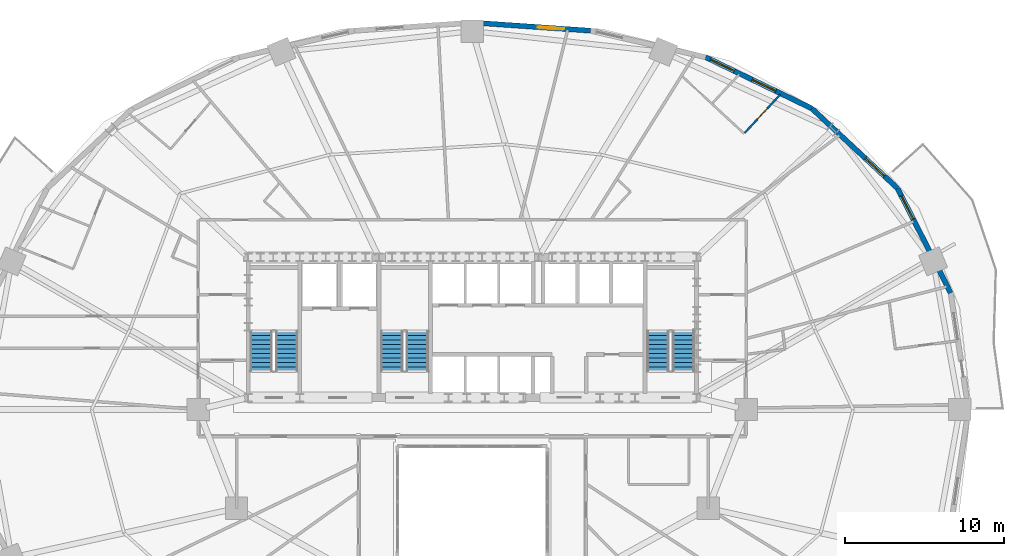
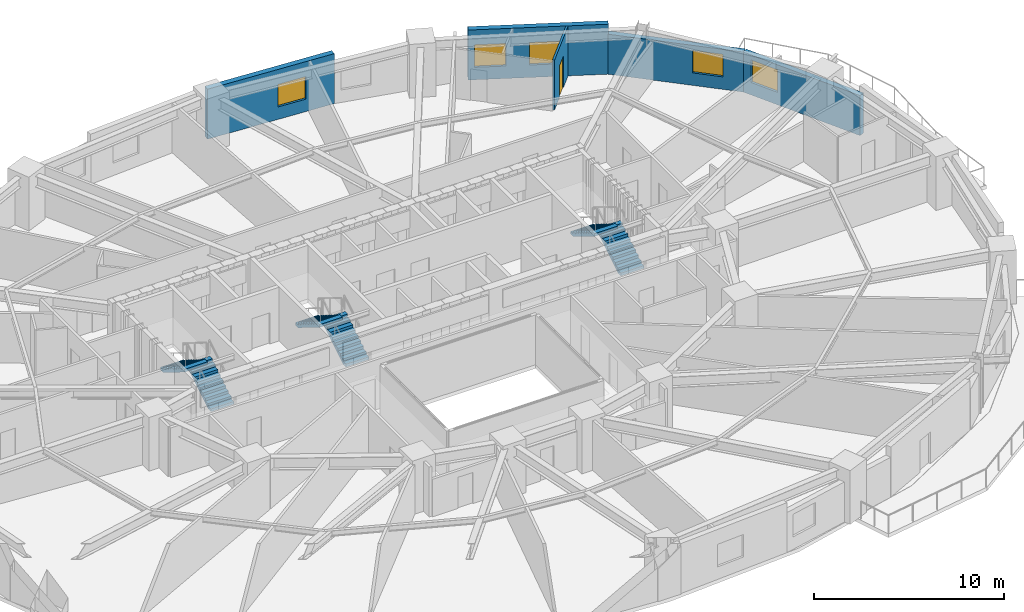
# One storey, part 13 of 17: 6 stair flights, 5 walls, 5 windows, 1 door, 6 openings, 3 elements without a shape of their own.
"""IFC4 building model written with IfcOpenShell, lengths in metres."""

from ifc_helpers import new_model, si_unit, direction, frame, frame_2d, origin, place, context, subcontext, project, spatial, polyline, rectangle, outline, extrude, material, layer, layer_set, type_object, element, fill, aggregate, save


model = new_model("IFC4")

# Units and contexts
model_context = context("Model", 3, precision=1e-05, world=origin(), true_north=direction((0.0, 1.0)))
body_context = subcontext(model_context, "Body", "Model", "MODEL_VIEW")
ifc_project = project(units=[si_unit("LENGTHUNIT", "METRE"), si_unit("AREAUNIT", "SQUARE_METRE"), si_unit("VOLUMEUNIT", "CUBIC_METRE"), si_unit("PLANEANGLEUNIT", "RADIAN"), si_unit("MASSUNIT", "GRAM", prefix="KILO")], contexts=[model_context])

# Site, building, storey
site_placement = place(None, origin())
site = spatial("IfcSite", under=ifc_project, at=site_placement, CompositionType="ELEMENT")
building_placement = place(site_placement, origin())
building = spatial("IfcBuilding", under=site, at=building_placement, Name="Haldorwick Loom Tower", CompositionType="ELEMENT")
storey_placement = place(building_placement, frame((0.0, 0.0, 34.35009765625)))
storey = spatial("IfcBuildingStorey", under=building, at=storey_placement, Name="L08", CompositionType="ELEMENT", Elevation=34.35009765625)

# Wall, opening, window
ifc_material_1 = material(Name="Pressed Clay Face Brick and Insulated Masonry Backup Assembly", Category="masonry")
ifc_layer_1 = layer(ifc_material_1, 0.320068359375, Name="Pressed Clay Face Brick and Insulated Masonry Backup Assembly", Category="masonry")
ifc_layer_set_1 = layer_set([ifc_layer_1], Name="Pressed Clay Face Brick and Insulated Masonry Backup Assembly")
wall_type_1 = type_object("IfcWallType", Name="ARC-WL-EXT320", PredefinedType="STANDARD", material=ifc_layer_set_1)
wall_1_placement = place(storey_placement, frame((66.021728515625, 33.320556640625, 0.0), z_axis=(0.0, 0.0, 1.0), x_axis=(-0.452950855928, 0.891535485617, 0.0)))
wall_1 = element("IfcWall", 1, at=wall_1_placement, inside=storey, type_object=wall_type_1, Name="L08 Brick Pier and Spandrel Wall 2", PredefinedType="STANDARD", context=body_context, shape_type="SweptSolid", body=[
    extrude(rectangle(XDim=7.3583984375, YDim=0.320068359375, at=frame_2d((3.67919921875, 0.0))), origin(), (0.0, 0.0, 1.0), 2.56884765625),
])
opening_1_placement = place(wall_1_placement, frame((5.188720703125, 0.0, 0.800048828125)))
opening_1 = element("IfcOpeningElement", 2, at=opening_1_placement, cuts=wall_1, Name="Opening W-01B", PredefinedType="OPENING", context=body_context, shape_type="SweptSolid", body=[
    extrude(rectangle(XDim=1.64990234375, YDim=1.449951171875, at=frame_2d((0.824951171875, 0.72509765625))), frame((0.0, 0.169921875, 0.0), z_axis=(0.0, -1.0, 0.0), x_axis=(1.0, 0.0, 0.0)), (0.0, 0.0, 1.0), 0.340087890625),
])
ifc_material_2 = material(Name="Triple-Glazed Low-E Argon Insulated Glazing Unit", Category="glass")
window_type = type_object("IfcWindowType", Name="ARC-WIN-W165", PartitioningType="SINGLE_PANEL", PredefinedType="WINDOW", material=ifc_material_2)
window_1_placement = place(opening_1_placement, origin())
window_1 = element("IfcWindow", 3, at=window_1_placement, inside=storey, type_object=window_type, Name="L08 Deep-Set Zone 7A Window 2", OverallHeight=1.449951171875, OverallWidth=1.64990234375, PartitioningType="SINGLE_PANEL", PredefinedType="WINDOW", context=body_context, shape_type="SweptSolid", body=[
    extrude(rectangle(XDim=1.64990234375, YDim=1.449951171875, at=frame_2d((0.824951171875, 0.72509765625))), frame((0.0, 0.030029296875, 0.0), z_axis=(0.0, -1.0, 0.0), x_axis=(1.0, 0.0, 0.0)), (0.0, 0.0, 1.0), 0.06005859375),
])
fill(opening_1, window_1)

wall_2_placement = place(storey_placement, frame((62.688720703125, 39.880859375, 0.0), z_axis=(0.0, 0.0, 1.0), x_axis=(-0.73176101237, 0.681561311091, 0.0)))
wall_2 = element("IfcWall", 4, at=wall_2_placement, inside=storey, type_object=wall_type_1, Name="L08 Brick Pier and Spandrel Wall 3", PredefinedType="STANDARD", context=body_context, shape_type="SweptSolid", body=[
    extrude(rectangle(XDim=7.3583984375, YDim=0.320068359375, at=frame_2d((3.67919921875, 0.0))), origin(), (0.0, 0.0, 1.0), 2.56884765625),
])
opening_2_placement = place(wall_2_placement, frame((1.1181640625, 0.0, 0.800048828125)))
opening_2 = element("IfcOpeningElement", 5, at=opening_2_placement, cuts=wall_2, Name="Opening W-01B", PredefinedType="OPENING", context=body_context, shape_type="SweptSolid", body=[
    extrude(rectangle(XDim=1.64990234375, YDim=1.449951171875, at=frame_2d((0.824951171875, 0.72509765625))), frame((0.0, 0.169921875, 0.0), z_axis=(0.0, -1.0, 0.0), x_axis=(1.0, 0.0, 0.0)), (0.0, 0.0, 1.0), 0.340087890625),
])
window_2_placement = place(opening_2_placement, origin())
window_2 = element("IfcWindow", 6, at=window_2_placement, inside=storey, type_object=window_type, Name="L08 Deep-Set Zone 7A Window 3", OverallHeight=1.449951171875, OverallWidth=1.64990234375, PartitioningType="SINGLE_PANEL", PredefinedType="WINDOW", context=body_context, shape_type="SweptSolid", body=[
    extrude(rectangle(XDim=1.64990234375, YDim=1.449951171875, at=frame_2d((0.824951171875, 0.72509765625))), frame((0.0, 0.030029296875, 0.0), z_axis=(0.0, -1.0, 0.0), x_axis=(1.0, 0.0, 0.0)), (0.0, 0.0, 1.0), 0.06005859375),
])
fill(opening_2, window_2)

# Wall, openings, windows
wall_3_placement = place(storey_placement, frame((57.30419921875, 44.89599609375, 0.0), z_axis=(0.0, 0.0, 1.0), x_axis=(-0.900295710431, 0.435278800057, 0.0)))
wall_3 = element("IfcWall", 7, at=wall_3_placement, inside=storey, type_object=wall_type_1, Name="L08 Brick Pier and Spandrel Wall 4", PredefinedType="STANDARD", context=body_context, shape_type="SweptSolid", body=[
    extrude(rectangle(XDim=7.39697265625, YDim=0.320068359375, at=frame_2d((3.698486328125, 0.0))), origin(), (0.0, 0.0, 1.0), 3.2099609375),
])
opening_3_placement = place(wall_3_placement, frame((2.51171875, 0.0, 0.800048828125)))
opening_3 = element("IfcOpeningElement", 8, at=opening_3_placement, cuts=wall_3, Name="Opening W-01B", PredefinedType="OPENING", context=body_context, shape_type="SweptSolid", body=[
    extrude(rectangle(XDim=1.64990234375, YDim=1.449951171875, at=frame_2d((0.824951171875, 0.72509765625))), frame((0.0, 0.169921875, 0.0), z_axis=(0.0, -1.0, 0.0), x_axis=(1.0, 0.0, 0.0)), (0.0, 0.0, 1.0), 0.340087890625),
])
opening_4_placement = place(wall_3_placement, frame((5.406982421875, 0.0, 0.800048828125)))
opening_4 = element("IfcOpeningElement", 9, at=opening_4_placement, cuts=wall_3, Name="Opening W-01B", PredefinedType="OPENING", context=body_context, shape_type="SweptSolid", body=[
    extrude(rectangle(XDim=1.64990234375, YDim=1.449951171875, at=frame_2d((0.824951171875, 0.72509765625))), frame((0.0, 0.169921875, 0.0), z_axis=(0.0, -1.0, 0.0), x_axis=(1.0, 0.0, 0.0)), (0.0, 0.0, 1.0), 0.340087890625),
])
window_3_placement = place(opening_3_placement, origin())
window_3 = element("IfcWindow", 10, at=window_3_placement, inside=storey, type_object=window_type, Name="L08 Deep-Set Zone 7A Window 4", OverallHeight=1.449951171875, OverallWidth=1.64990234375, PartitioningType="SINGLE_PANEL", PredefinedType="WINDOW", context=body_context, shape_type="SweptSolid", body=[
    extrude(rectangle(XDim=1.64990234375, YDim=1.449951171875, at=frame_2d((0.824951171875, 0.72509765625))), frame((0.0, 0.030029296875, 0.0), z_axis=(0.0, -1.0, 0.0), x_axis=(1.0, 0.0, 0.0)), (0.0, 0.0, 1.0), 0.06005859375),
])
fill(opening_3, window_3)
window_4_placement = place(opening_4_placement, origin())
window_4 = element("IfcWindow", 11, at=window_4_placement, inside=storey, type_object=window_type, Name="L08 Deep-Set Zone 7A Window 4", OverallHeight=1.449951171875, OverallWidth=1.64990234375, PartitioningType="SINGLE_PANEL", PredefinedType="WINDOW", context=body_context, shape_type="SweptSolid", body=[
    extrude(rectangle(XDim=1.64990234375, YDim=1.449951171875, at=frame_2d((0.824951171875, 0.72509765625))), frame((0.0, 0.030029296875, 0.0), z_axis=(0.0, -1.0, 0.0), x_axis=(1.0, 0.0, 0.0)), (0.0, 0.0, 1.0), 0.06005859375),
])
fill(opening_4, window_4)

# Wall, opening, window
wall_4_placement = place(storey_placement, frame((43.411376953125, 49.780517578125, 0.0), z_axis=(0.0, 0.0, 1.0), x_axis=(-0.997645161917, 0.068586667092, 0.0)))
wall_4 = element("IfcWall", 12, at=wall_4_placement, inside=storey, type_object=wall_type_1, Name="L08 Brick Pier and Spandrel Wall 6", PredefinedType="STANDARD", context=body_context, shape_type="SweptSolid", body=[
    extrude(rectangle(XDim=7.428955078125, YDim=0.320068359375, at=frame_2d((3.71435546875, 0.0))), origin(), (0.0, 0.0, 1.0), 3.2099609375),
])
opening_5_placement = place(wall_4_placement, frame((1.65966796875, 0.0, 0.800048828125)))
opening_5 = element("IfcOpeningElement", 13, at=opening_5_placement, cuts=wall_4, Name="Opening W-01B", PredefinedType="OPENING", context=body_context, shape_type="SweptSolid", body=[
    extrude(rectangle(XDim=1.64990234375, YDim=1.449951171875, at=frame_2d((0.824951171875, 0.72509765625))), frame((0.0, 0.169921875, 0.0), z_axis=(0.0, -1.0, 0.0), x_axis=(1.0, 0.0, 0.0)), (0.0, 0.0, 1.0), 0.340087890625),
])
window_5_placement = place(opening_5_placement, origin())
window_5 = element("IfcWindow", 14, at=window_5_placement, inside=storey, type_object=window_type, Name="L08 Deep-Set Zone 7A Window 6", OverallHeight=1.449951171875, OverallWidth=1.64990234375, PartitioningType="SINGLE_PANEL", PredefinedType="WINDOW", context=body_context, shape_type="SweptSolid", body=[
    extrude(rectangle(XDim=1.64990234375, YDim=1.449951171875, at=frame_2d((0.824951171875, 0.72509765625))), frame((0.0, 0.030029296875, 0.0), z_axis=(0.0, -1.0, 0.0), x_axis=(1.0, 0.0, 0.0)), (0.0, 0.0, 1.0), 0.06005859375),
])
fill(opening_5, window_5)

# Wall, opening, door
ifc_material_3 = material(Name="Acoustic Gypsum Stud Assembly STC 55")
ifc_layer_2 = layer(ifc_material_3, 0.1201171875, Name="Acoustic Gypsum Stud Assembly STC 55")
ifc_layer_set_2 = layer_set([ifc_layer_2], Name="Acoustic Gypsum Stud Assembly STC 55")
wall_type_2 = type_object("IfcWallType", Name="ARC-WL-PART120", PredefinedType="PARTITIONING", material=ifc_layer_set_2)
wall_5_placement = place(storey_placement, frame((53.096435546875, 43.36572265625, 0.0), z_axis=(0.0, 0.0, 1.0), x_axis=(0.679524989398, 0.733652362351, 0.0)))
wall_5 = element("IfcWall", 15, at=wall_5_placement, inside=storey, type_object=wall_type_2, Name="L08 Unit 08E Interior Partition", PredefinedType="PARTITIONING", context=body_context, shape_type="SweptSolid", body=[
    extrude(rectangle(XDim=3.2880859375, YDim=0.1201171875, at=frame_2d((1.64404296875, 0.0))), origin(), (0.0, 0.0, 1.0), 3.19482421875),
])
opening_6_placement = place(wall_5_placement, frame((1.194091796875, 0.0, 0.0)))
opening_6 = element("IfcOpeningElement", 16, at=opening_6_placement, cuts=wall_5, Name="Opening D-IN90", PredefinedType="OPENING", context=body_context, shape_type="SweptSolid", body=[
    extrude(rectangle(XDim=0.89990234375, YDim=2.0400390625, at=frame_2d((0.449951171875, 1.02001953125))), frame((0.0, 0.070068359375, 0.0), z_axis=(0.0, -1.0, 0.0), x_axis=(1.0, 0.0, 0.0)), (0.0, 0.0, 1.0), 0.14013671875),
])
ifc_material_4 = material(Name="Solid Core Birch Architectural Door")
door_type = type_object("IfcDoorType", Name="ARC-DR-INT90", OperationType="NOTDEFINED", PredefinedType="DOOR", material=ifc_material_4)
door_placement = place(opening_6_placement, origin())
door = element("IfcDoor", 17, at=door_placement, inside=storey, type_object=door_type, Name="L08 Unit 08E Bedroom 1 to Unit 08E Kitchen and Living Room Door", OperationType="SINGLE_SWING_LEFT", OverallHeight=2.0400390625, OverallWidth=0.89990234375, PredefinedType="DOOR", context=body_context, shape_type="SweptSolid", body=[
    extrude(rectangle(XDim=0.89990234375, YDim=2.0400390625, at=frame_2d((0.449951171875, 1.02001953125))), frame((0.0, 0.02490234375, 0.0), z_axis=(0.0, -1.0, 0.0), x_axis=(1.0, 0.0, 0.0)), (0.0, 0.0, 1.0), 0.050048828125),
])
fill(opening_6, door)

# Stair, stair flights
ifc_material_5 = material(Name="Concrete C40 (40 MPa)", Category="concrete")
stair_type = type_object("IfcStairType", Name="STR-STR-CORE", PredefinedType="HALF_TURN_STAIR", material=ifc_material_5)
stair_1_placement = place(storey_placement, origin())
stair_1 = element("IfcStair", 18, at=stair_1_placement, inside=storey, type_object=stair_type, Name="L08 Exit Stair ST-01", PredefinedType="HALF_TURN_STAIR")
stair_flight_type = type_object("IfcStairFlightType", Name="STR-STF-1250", PredefinedType="STRAIGHT", material=ifc_material_5)
stair_flight_1_placement = place(storey_placement, frame((24.35009765625, 28.39990234375, 0.0), z_axis=(0.0, 0.0, 1.0), x_axis=(0.0, 1.0, 0.0)))
stair_flight_1 = element("IfcStairFlight", 19, at=stair_flight_1_placement, type_object=stair_flight_type, Name="ST-01 flight 1", NumberOfRisers=10, NumberOfTreads=9, PredefinedType="STRAIGHT", RiserHeight=0.1725, TreadLength=0.28, context=body_context, shape_type="SweptSolid", body=[
    extrude(outline(polyline([(0.0, 0.0), (0.0, 0.172607421875), (0.280029296875, 0.172607421875), (0.280029296875, 0.344970703125), (0.56005859375, 0.344970703125), (0.56005859375, 0.517578125), (0.840087890625, 0.517578125), (0.840087890625, 0.68994140625), (1.1201171875, 0.68994140625), (1.1201171875, 0.862548828125), (1.39990234375, 0.862548828125), (1.39990234375, 1.034912109375), (1.679931640625, 1.034912109375), (1.679931640625, 1.20751953125), (1.9599609375, 1.20751953125), (1.9599609375, 1.3798828125), (2.239990234375, 1.3798828125), (2.239990234375, 1.552490234375), (2.52001953125, 1.552490234375), (2.52001953125, 1.72509765625), (2.52001953125, 1.37646484375), (0.285888671875, 0.0), (0.0, 0.0)])), frame((0.0, 0.699951171875, 0.0), z_axis=(0.0, -1.0, 0.0), x_axis=(1.0, 0.0, 0.0)), (0.0, 0.0, 1.0), 1.39990234375),
])
stair_flight_2_placement = place(storey_placement, frame((22.75, 30.919921875, 1.724853515625), z_axis=(0.0, 0.0, 1.0), x_axis=(0.0, -1.0, 0.0)))
stair_flight_2 = element("IfcStairFlight", 20, at=stair_flight_2_placement, type_object=stair_flight_type, Name="ST-01 flight 2", NumberOfRisers=10, NumberOfTreads=9, PredefinedType="STRAIGHT", RiserHeight=0.1725, TreadLength=0.28, context=body_context, shape_type="SweptSolid", body=[
    extrude(outline(polyline([(0.0, 0.0), (0.0, 0.172607421875), (0.280029296875, 0.172607421875), (0.280029296875, 0.344970703125), (0.56005859375, 0.344970703125), (0.56005859375, 0.517578125), (0.840087890625, 0.517578125), (0.840087890625, 0.68994140625), (1.1201171875, 0.68994140625), (1.1201171875, 0.862548828125), (1.39990234375, 0.862548828125), (1.39990234375, 1.034912109375), (1.679931640625, 1.034912109375), (1.679931640625, 1.20751953125), (1.9599609375, 1.20751953125), (1.9599609375, 1.3798828125), (2.239990234375, 1.3798828125), (2.239990234375, 1.552490234375), (2.52001953125, 1.552490234375), (2.52001953125, 1.72509765625), (2.52001953125, 1.37646484375), (0.285888671875, 0.0), (0.0, 0.0)])), frame((0.0, 0.699951171875, 0.0), z_axis=(0.0, -1.0, 0.0), x_axis=(1.0, 0.0, 0.0)), (0.0, 0.0, 1.0), 1.39990234375),
])
aggregate(stair_1, [stair_flight_1, stair_flight_2])

stair_2_placement = place(storey_placement, origin())
stair_2 = element("IfcStair", 21, at=stair_2_placement, inside=storey, type_object=stair_type, Name="L08 Exit Stair ST-02", PredefinedType="HALF_TURN_STAIR")
stair_flight_3_placement = place(storey_placement, frame((49.25, 28.39990234375, 0.0), z_axis=(0.0, 0.0, 1.0), x_axis=(0.0, 1.0, 0.0)))
stair_flight_3 = element("IfcStairFlight", 22, at=stair_flight_3_placement, type_object=stair_flight_type, Name="ST-02 flight 1", NumberOfRisers=10, NumberOfTreads=9, PredefinedType="STRAIGHT", RiserHeight=0.1725, TreadLength=0.28, context=body_context, shape_type="SweptSolid", body=[
    extrude(outline(polyline([(0.0, 0.0), (0.0, 0.172607421875), (0.280029296875, 0.172607421875), (0.280029296875, 0.344970703125), (0.56005859375, 0.344970703125), (0.56005859375, 0.517578125), (0.840087890625, 0.517578125), (0.840087890625, 0.68994140625), (1.1201171875, 0.68994140625), (1.1201171875, 0.862548828125), (1.39990234375, 0.862548828125), (1.39990234375, 1.034912109375), (1.679931640625, 1.034912109375), (1.679931640625, 1.20751953125), (1.9599609375, 1.20751953125), (1.9599609375, 1.3798828125), (2.239990234375, 1.3798828125), (2.239990234375, 1.552490234375), (2.52001953125, 1.552490234375), (2.52001953125, 1.72509765625), (2.52001953125, 1.37646484375), (0.285888671875, 0.0), (0.0, 0.0)])), frame((0.0, 0.699951171875, 0.0), z_axis=(0.0, -1.0, 0.0), x_axis=(1.0, 0.0, 0.0)), (0.0, 0.0, 1.0), 1.39990234375),
])
stair_flight_4_placement = place(storey_placement, frame((47.64990234375, 30.919921875, 1.724853515625), z_axis=(0.0, 0.0, 1.0), x_axis=(0.0, -1.0, 0.0)))
stair_flight_4 = element("IfcStairFlight", 23, at=stair_flight_4_placement, type_object=stair_flight_type, Name="ST-02 flight 2", NumberOfRisers=10, NumberOfTreads=9, PredefinedType="STRAIGHT", RiserHeight=0.1725, TreadLength=0.28, context=body_context, shape_type="SweptSolid", body=[
    extrude(outline(polyline([(0.0, 0.0), (0.0, 0.172607421875), (0.280029296875, 0.172607421875), (0.280029296875, 0.344970703125), (0.56005859375, 0.344970703125), (0.56005859375, 0.517578125), (0.840087890625, 0.517578125), (0.840087890625, 0.68994140625), (1.1201171875, 0.68994140625), (1.1201171875, 0.862548828125), (1.39990234375, 0.862548828125), (1.39990234375, 1.034912109375), (1.679931640625, 1.034912109375), (1.679931640625, 1.20751953125), (1.9599609375, 1.20751953125), (1.9599609375, 1.3798828125), (2.239990234375, 1.3798828125), (2.239990234375, 1.552490234375), (2.52001953125, 1.552490234375), (2.52001953125, 1.72509765625), (2.52001953125, 1.37646484375), (0.285888671875, 0.0), (0.0, 0.0)])), frame((0.0, 0.699951171875, 0.0), z_axis=(0.0, -1.0, 0.0), x_axis=(1.0, 0.0, 0.0)), (0.0, 0.0, 1.0), 1.39990234375),
])
aggregate(stair_2, [stair_flight_3, stair_flight_4])

stair_3_placement = place(storey_placement, origin())
stair_3 = element("IfcStair", 24, at=stair_3_placement, inside=storey, type_object=stair_type, Name="L08 Exit Stair ST-03", PredefinedType="HALF_TURN_STAIR")
stair_flight_5_placement = place(storey_placement, frame((32.550048828125, 28.39990234375, 0.0), z_axis=(0.0, 0.0, 1.0), x_axis=(0.0, 1.0, 0.0)))
stair_flight_5 = element("IfcStairFlight", 25, at=stair_flight_5_placement, type_object=stair_flight_type, Name="ST-03 flight 1", NumberOfRisers=10, NumberOfTreads=9, PredefinedType="STRAIGHT", RiserHeight=0.1725, TreadLength=0.28, context=body_context, shape_type="SweptSolid", body=[
    extrude(outline(polyline([(0.0, 0.0), (0.0, 0.172607421875), (0.280029296875, 0.172607421875), (0.280029296875, 0.344970703125), (0.56005859375, 0.344970703125), (0.56005859375, 0.517578125), (0.840087890625, 0.517578125), (0.840087890625, 0.68994140625), (1.1201171875, 0.68994140625), (1.1201171875, 0.862548828125), (1.39990234375, 0.862548828125), (1.39990234375, 1.034912109375), (1.679931640625, 1.034912109375), (1.679931640625, 1.20751953125), (1.9599609375, 1.20751953125), (1.9599609375, 1.3798828125), (2.239990234375, 1.3798828125), (2.239990234375, 1.552490234375), (2.52001953125, 1.552490234375), (2.52001953125, 1.72509765625), (2.52001953125, 1.37646484375), (0.285888671875, 0.0), (0.0, 0.0)])), frame((0.0, 0.699951171875, 0.0), z_axis=(0.0, -1.0, 0.0), x_axis=(1.0, 0.0, 0.0)), (0.0, 0.0, 1.0), 1.39990234375),
])
stair_flight_6_placement = place(storey_placement, frame((30.949951171875, 30.919921875, 1.724853515625), z_axis=(0.0, 0.0, 1.0), x_axis=(0.0, -1.0, 0.0)))
stair_flight_6 = element("IfcStairFlight", 26, at=stair_flight_6_placement, type_object=stair_flight_type, Name="ST-03 flight 2", NumberOfRisers=10, NumberOfTreads=9, PredefinedType="STRAIGHT", RiserHeight=0.1725, TreadLength=0.28, context=body_context, shape_type="SweptSolid", body=[
    extrude(outline(polyline([(0.0, 0.0), (0.0, 0.172607421875), (0.280029296875, 0.172607421875), (0.280029296875, 0.344970703125), (0.56005859375, 0.344970703125), (0.56005859375, 0.517578125), (0.840087890625, 0.517578125), (0.840087890625, 0.68994140625), (1.1201171875, 0.68994140625), (1.1201171875, 0.862548828125), (1.39990234375, 0.862548828125), (1.39990234375, 1.034912109375), (1.679931640625, 1.034912109375), (1.679931640625, 1.20751953125), (1.9599609375, 1.20751953125), (1.9599609375, 1.3798828125), (2.239990234375, 1.3798828125), (2.239990234375, 1.552490234375), (2.52001953125, 1.552490234375), (2.52001953125, 1.72509765625), (2.52001953125, 1.37646484375), (0.285888671875, 0.0), (0.0, 0.0)])), frame((0.0, 0.699951171875, 0.0), z_axis=(0.0, -1.0, 0.0), x_axis=(1.0, 0.0, 0.0)), (0.0, 0.0, 1.0), 1.39990234375),
])
aggregate(stair_3, [stair_flight_5, stair_flight_6])

save(model, "model.ifc")
